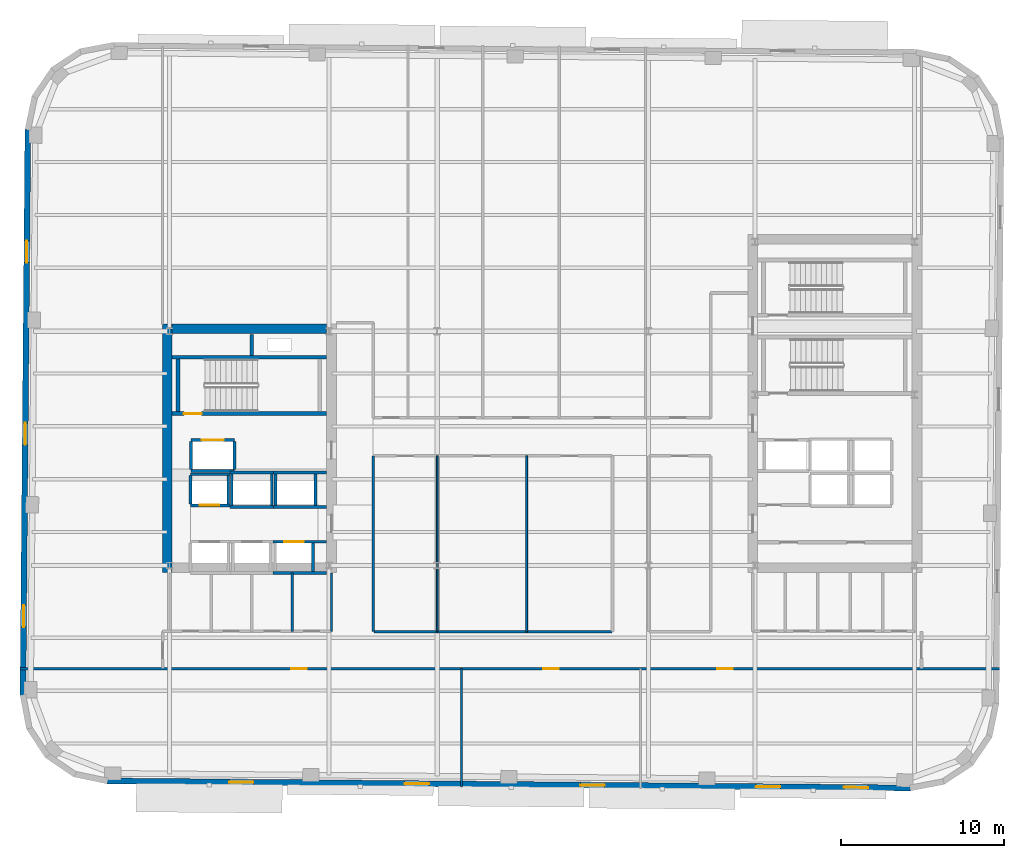
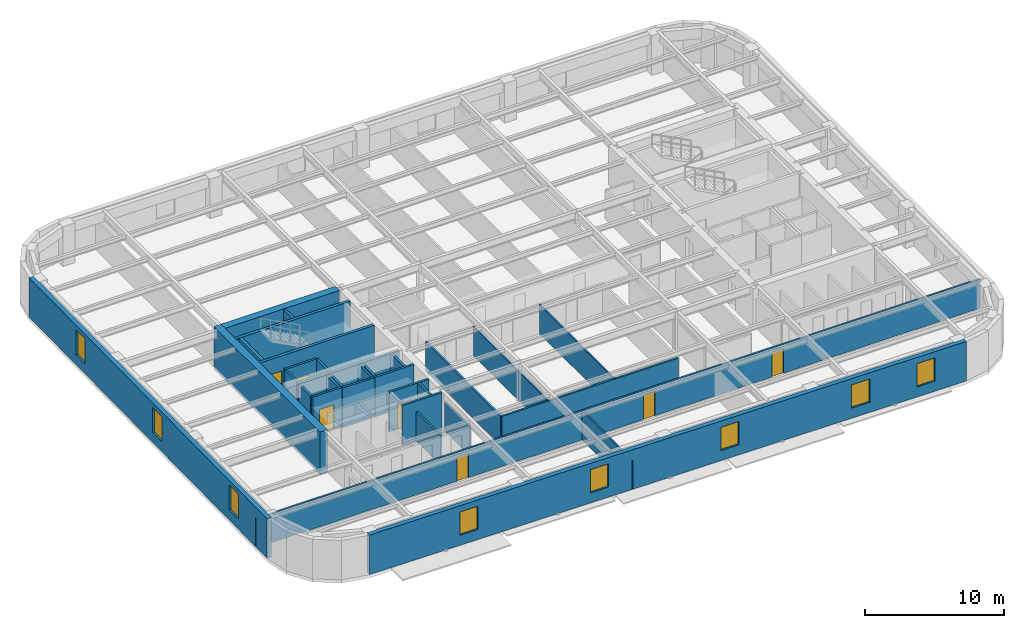
# One storey, part 4 of 11: 35 walls, 8 windows, 7 doors, 15 openings.
"""IFC4 building model written with IfcOpenShell, lengths in metres."""

from ifc_helpers import new_model, si_unit, direction, frame, frame_2d, origin, place, context, subcontext, project, spatial, rectangle, extrude, material, layer, layer_set, type_object, element, fill, save


model = new_model("IFC4")

# Units and contexts
model_context = context("Model", 3, precision=1e-05, world=origin(), true_north=direction((0.0, 1.0)))
body_context = subcontext(model_context, "Body", "Model", "MODEL_VIEW")
ifc_project = project(units=[si_unit("LENGTHUNIT", "METRE"), si_unit("AREAUNIT", "SQUARE_METRE"), si_unit("VOLUMEUNIT", "CUBIC_METRE"), si_unit("PLANEANGLEUNIT", "RADIAN"), si_unit("MASSUNIT", "GRAM", prefix="KILO")], contexts=[model_context])

# Site, building, storey
site_placement = place(None, origin())
site = spatial("IfcSite", under=ifc_project, at=site_placement, CompositionType="ELEMENT")
building_placement = place(site_placement, origin())
building = spatial("IfcBuilding", under=site, at=building_placement, Name="Kolvaren Arena Tower", CompositionType="ELEMENT")
storey_placement = place(building_placement, frame((0.0, 0.0, 184.699951171875)))
storey = spatial("IfcBuildingStorey", under=building, at=storey_placement, Name="L44", CompositionType="ELEMENT", Elevation=184.699951171875)

# Wall, openings, doors
ifc_material_1 = material(Name="Gypsum board acoustic assembly", Category="gypsum")
ifc_layer_1 = layer(ifc_material_1, 0.159912109375)
ifc_layer_set_1 = layer_set([ifc_layer_1], Name="Gypsum board acoustic assembly")
wall_type_1 = type_object("IfcWallType", Name="CORR-160", PredefinedType="PARTITIONING", material=ifc_layer_set_1)
wall_1_placement = place(storey_placement, frame((5.363525390625, 13.10009765625, 0.0), z_axis=(0.0, 0.0, 1.0), x_axis=(1.0, 0.0, 0.0)))
wall_1 = element("IfcWall", 1, at=wall_1_placement, inside=storey, type_object=wall_type_1, Name="Interior Partition Wall (L44)", PredefinedType="PARTITIONING", context=body_context, shape_type="SweptSolid", body=[
    extrude(rectangle(XDim=60.202392578125, YDim=0.159912109375, at=frame_2d((30.10107421875, 0.0))), origin(), (0.0, 0.0, 1.0), 2.5400390625),
])
opening_1_placement = place(wall_1_placement, frame((16.661376953125, 0.0, 0.0)))
opening_1 = element("IfcOpeningElement", 2, at=opening_1_placement, cuts=wall_1, Name="Opening D05", PredefinedType="OPENING", context=body_context, shape_type="SweptSolid", body=[
    extrude(rectangle(XDim=0.949951171875, YDim=2.14990234375, at=frame_2d((0.47509765625, 1.074951171875))), frame((0.0, 0.08984375, 0.0), z_axis=(0.0, -1.0, 0.0), x_axis=(1.0, 0.0, 0.0)), (0.0, 0.0, 1.0), 0.179931640625),
])
opening_2_placement = place(wall_1_placement, frame((32.161376953125, 0.0, 0.0)))
opening_2 = element("IfcOpeningElement", 3, at=opening_2_placement, cuts=wall_1, Name="Opening D05", PredefinedType="OPENING", context=body_context, shape_type="SweptSolid", body=[
    extrude(rectangle(XDim=0.949951171875, YDim=2.14990234375, at=frame_2d((0.47509765625, 1.074951171875))), frame((0.0, 0.08984375, 0.0), z_axis=(0.0, -1.0, 0.0), x_axis=(1.0, 0.0, 0.0)), (0.0, 0.0, 1.0), 0.179931640625),
])
opening_3_placement = place(wall_1_placement, frame((42.861328125, 0.0, 0.0)))
opening_3 = element("IfcOpeningElement", 4, at=opening_3_placement, cuts=wall_1, Name="Opening D05", PredefinedType="OPENING", context=body_context, shape_type="SweptSolid", body=[
    extrude(rectangle(XDim=0.949951171875, YDim=2.14990234375, at=frame_2d((0.47509765625, 1.074951171875))), frame((0.0, 0.08984375, 0.0), z_axis=(0.0, -1.0, 0.0), x_axis=(1.0, 0.0, 0.0)), (0.0, 0.0, 1.0), 0.179931640625),
])
ifc_material_2 = material(Name="Solid-core oak acoustic office door", Category="wood")
door_type_1 = type_object("IfcDoorType", Name="DOOR-OF-095", OperationType="NOTDEFINED", PredefinedType="DOOR", material=ifc_material_2)
door_1_placement = place(opening_1_placement, origin())
door_1 = element("IfcDoor", 5, at=door_1_placement, inside=storey, type_object=door_type_1, Name="Design Studio Door (L44)", OperationType="SINGLE_SWING_RIGHT", OverallHeight=2.14990234375, OverallWidth=0.949951171875, PredefinedType="DOOR", context=body_context, shape_type="SweptSolid", body=[
    extrude(rectangle(XDim=0.949951171875, YDim=2.14990234375, at=frame_2d((0.47509765625, 1.074951171875))), frame((0.0, 0.02490234375, 0.0), z_axis=(0.0, -1.0, 0.0), x_axis=(1.0, 0.0, 0.0)), (0.0, 0.0, 1.0), 0.050048828125),
])
fill(opening_1, door_1)
door_2_placement = place(opening_2_placement, origin())
door_2 = element("IfcDoor", 6, at=door_2_placement, inside=storey, type_object=door_type_1, Name="Client Lounge Door (L44)", OperationType="SINGLE_SWING_LEFT", OverallHeight=2.14990234375, OverallWidth=0.949951171875, PredefinedType="DOOR", context=body_context, shape_type="SweptSolid", body=[
    extrude(rectangle(XDim=0.949951171875, YDim=2.14990234375, at=frame_2d((0.47509765625, 1.074951171875))), frame((0.0, 0.02490234375, 0.0), z_axis=(0.0, -1.0, 0.0), x_axis=(1.0, 0.0, 0.0)), (0.0, 0.0, 1.0), 0.050048828125),
])
fill(opening_2, door_2)
door_3_placement = place(opening_3_placement, origin())
door_3 = element("IfcDoor", 7, at=door_3_placement, inside=storey, type_object=door_type_1, Name="Executive Office Door (L44)", OperationType="SINGLE_SWING_RIGHT", OverallHeight=2.14990234375, OverallWidth=0.949951171875, PredefinedType="DOOR", context=body_context, shape_type="SweptSolid", body=[
    extrude(rectangle(XDim=0.949951171875, YDim=2.14990234375, at=frame_2d((0.47509765625, 1.074951171875))), frame((0.0, 0.02490234375, 0.0), z_axis=(0.0, -1.0, 0.0), x_axis=(1.0, 0.0, 0.0)), (0.0, 0.0, 1.0), 0.050048828125),
])
fill(opening_3, door_3)

# Walls
wall_2_placement = place(storey_placement, frame((27.10009765625, 15.3798828125, 0.0), z_axis=(0.0, 0.0, 1.0), x_axis=(1.0, 0.0, 0.0)))
element("IfcWall", 8, at=wall_2_placement, inside=storey, type_object=wall_type_1, Name="Interior Partition Wall (L44)", PredefinedType="PARTITIONING", context=body_context, shape_type="SweptSolid", body=[
    extrude(rectangle(XDim=14.659912109375, YDim=0.159912109375, at=frame_2d((7.330078125, 0.0))), origin(), (0.0, 0.0, 1.0), 2.5400390625),
])
wall_3_placement = place(storey_placement, frame((27.080078125, 15.3798828125, 0.0), z_axis=(0.0, 0.0, 1.0), x_axis=(0.0, 1.0, 0.0)))
element("IfcWall", 9, at=wall_3_placement, inside=storey, type_object=wall_type_1, Name="Interior Partition Wall (L44)", PredefinedType="PARTITIONING", context=body_context, shape_type="SweptSolid", body=[
    extrude(rectangle(XDim=10.800048828125, YDim=0.159912109375, at=frame_2d((5.39990234375, 0.0))), origin(), (0.0, 0.0, 1.0), 2.5400390625),
])
ifc_material_3 = material(Name="Concrete 60 MPa", Category="concrete")
ifc_layer_2 = layer(ifc_material_3, 0.60009765625)
ifc_layer_set_2 = layer_set([ifc_layer_2], Name="Concrete 60 MPa")
wall_type_2 = type_object("IfcWallType", Name="CWALL-600", PredefinedType="SHEAR", material=ifc_layer_set_2)
wall_4_placement = place(storey_placement, frame((14.39990234375, 19.0, -0.27001953125), z_axis=(0.0, 0.0, 1.0), x_axis=(0.0, 1.0, 0.0)))
element("IfcWall", 10, at=wall_4_placement, inside=storey, type_object=wall_type_2, Name="Core Shear Wall WC-WEST (L44)", PredefinedType="SHEAR", context=body_context, shape_type="SweptSolid", body=[
    extrude(rectangle(XDim=15.300048828125, YDim=0.60009765625, at=frame_2d((7.64990234375, 0.0))), origin(), (0.0, 0.0, 1.0), 3.75),
])
wall_5_placement = place(storey_placement, frame((14.699951171875, 34.0, -0.27001953125), z_axis=(0.0, 0.0, 1.0), x_axis=(1.0, 0.0, 0.0)))
element("IfcWall", 11, at=wall_5_placement, inside=storey, type_object=wall_type_2, Name="Core Shear Wall WC-NORTH (L44)", PredefinedType="SHEAR", context=body_context, shape_type="SweptSolid", body=[
    extrude(rectangle(XDim=9.5, YDim=0.60009765625, at=frame_2d((4.75, 0.0))), origin(), (0.0, 0.0, 1.0), 3.75),
])

# Wall, openings, windows
ifc_material_4 = material(Name="Precast concrete C50/60", Category="concrete")
ifc_layer_3 = layer(ifc_material_4, 0.360107421875)
ifc_layer_set_3 = layer_set([ifc_layer_3], Name="Precast concrete C50/60")
wall_type_3 = type_object("IfcWallType", Name="EXT-PIER2", PredefinedType="SOLIDWALL", material=ifc_layer_set_3)
wall_6_placement = place(storey_placement, frame((5.529296875, 11.461669921875, 0.0), z_axis=(0.0, 0.0, 1.0), x_axis=(0.008727287311, 0.999961916503, 0.0)))
wall_6 = element("IfcWall", 12, at=wall_6_placement, inside=storey, type_object=wall_type_3, Name="Exterior Precast Masonry-Frame Wall (L44)", PredefinedType="SOLIDWALL", context=body_context, shape_type="SweptSolid", body=[
    extrude(rectangle(XDim=34.800048828125, YDim=0.360107421875, at=frame_2d((17.39990234375, 0.0))), origin(), (0.0, 0.0, 1.0), 3.47998046875),
])
opening_4_placement = place(wall_6_placement, frame((4.199951171875, 0.0, 0.8798828125)))
opening_4 = element("IfcOpeningElement", 13, at=opening_4_placement, cuts=wall_6, Name="Opening W04", PredefinedType="OPENING", context=body_context, shape_type="SweptSolid", body=[
    extrude(rectangle(XDim=1.35009765625, YDim=2.199951171875, at=frame_2d((0.675048828125, 1.10009765625))), frame((0.0, 0.18994140625, 0.0), z_axis=(0.0, -1.0, 0.0), x_axis=(1.0, 0.0, 0.0)), (0.0, 0.0, 1.0), 0.380126953125),
])
opening_5_placement = place(wall_6_placement, frame((15.39990234375, 0.0, 0.8798828125)))
opening_5 = element("IfcOpeningElement", 14, at=opening_5_placement, cuts=wall_6, Name="Opening W04", PredefinedType="OPENING", context=body_context, shape_type="SweptSolid", body=[
    extrude(rectangle(XDim=1.35009765625, YDim=2.199951171875, at=frame_2d((0.675048828125, 1.10009765625))), frame((0.0, 0.18994140625, 0.0), z_axis=(0.0, -1.0, 0.0), x_axis=(1.0, 0.0, 0.0)), (0.0, 0.0, 1.0), 0.380126953125),
])
opening_6_placement = place(wall_6_placement, frame((26.60009765625, 0.0, 0.8798828125)))
opening_6 = element("IfcOpeningElement", 15, at=opening_6_placement, cuts=wall_6, Name="Opening W04", PredefinedType="OPENING", context=body_context, shape_type="SweptSolid", body=[
    extrude(rectangle(XDim=1.35009765625, YDim=2.199951171875, at=frame_2d((0.675048828125, 1.10009765625))), frame((0.0, 0.18994140625, 0.0), z_axis=(0.0, -1.0, 0.0), x_axis=(1.0, 0.0, 0.0)), (0.0, 0.0, 1.0), 0.380126953125),
])
ifc_material_5 = material(Name="Triple-glazed curved-facet corner window", Category="glass")
window_type_1 = type_object("IfcWindowType", Name="WIN-CRN-A", PartitioningType="SINGLE_PANEL", PredefinedType="WINDOW", material=ifc_material_5)
window_1_placement = place(opening_4_placement, origin())
window_1 = element("IfcWindow", 16, at=window_1_placement, inside=storey, type_object=window_type_1, Name="End-Wall Punched Window (L44)", OverallHeight=2.199951171875, OverallWidth=1.35009765625, PartitioningType="SINGLE_PANEL", PredefinedType="WINDOW", context=body_context, shape_type="SweptSolid", body=[
    extrude(rectangle(XDim=1.35009765625, YDim=2.199951171875, at=frame_2d((0.675048828125, 1.10009765625))), frame((0.0, 0.030029296875, 0.0), z_axis=(0.0, -1.0, 0.0), x_axis=(1.0, 0.0, 0.0)), (0.0, 0.0, 1.0), 0.06005859375),
])
fill(opening_4, window_1)
window_2_placement = place(opening_5_placement, origin())
window_2 = element("IfcWindow", 17, at=window_2_placement, inside=storey, type_object=window_type_1, Name="End-Wall Punched Window (L44)", OverallHeight=2.199951171875, OverallWidth=1.35009765625, PartitioningType="SINGLE_PANEL", PredefinedType="WINDOW", context=body_context, shape_type="SweptSolid", body=[
    extrude(rectangle(XDim=1.35009765625, YDim=2.199951171875, at=frame_2d((0.675048828125, 1.10009765625))), frame((0.0, 0.030029296875, 0.0), z_axis=(0.0, -1.0, 0.0), x_axis=(1.0, 0.0, 0.0)), (0.0, 0.0, 1.0), 0.06005859375),
])
fill(opening_5, window_2)
window_3_placement = place(opening_6_placement, origin())
window_3 = element("IfcWindow", 18, at=window_3_placement, inside=storey, type_object=window_type_1, Name="End-Wall Punched Window (L44)", OverallHeight=2.199951171875, OverallWidth=1.35009765625, PartitioningType="SINGLE_PANEL", PredefinedType="WINDOW", context=body_context, shape_type="SweptSolid", body=[
    extrude(rectangle(XDim=1.35009765625, YDim=2.199951171875, at=frame_2d((0.675048828125, 1.10009765625))), frame((0.0, 0.030029296875, 0.0), z_axis=(0.0, -1.0, 0.0), x_axis=(1.0, 0.0, 0.0)), (0.0, 0.0, 1.0), 0.06005859375),
])
fill(opening_6, window_3)

wall_7_placement = place(storey_placement, frame((60.101806640625, 5.765380859375, 0.0), z_axis=(0.0, 0.0, 1.0), x_axis=(-0.999961955436, 0.008722825272, 0.0)))
wall_7 = element("IfcWall", 19, at=wall_7_placement, inside=storey, type_object=wall_type_3, Name="Exterior Precast Masonry-Frame Wall (L44)", PredefinedType="SOLIDWALL", context=body_context, shape_type="SweptSolid", body=[
    extrude(rectangle(XDim=49.400146484375, YDim=0.360107421875, at=frame_2d((24.7001953125, 0.0))), origin(), (0.0, 0.0, 1.0), 3.47998046875),
])
opening_7_placement = place(wall_7_placement, frame((2.60009765625, 0.0, 0.8798828125)))
opening_7 = element("IfcOpeningElement", 20, at=opening_7_placement, cuts=wall_7, Name="Opening W03", PredefinedType="OPENING", context=body_context, shape_type="SweptSolid", body=[
    extrude(rectangle(XDim=1.5, YDim=2.050048828125, at=frame_2d((0.75, 1.02490234375))), frame((0.0, 0.18994140625, 0.0), z_axis=(0.0, -1.0, 0.0), x_axis=(1.0, 0.0, 0.0)), (0.0, 0.0, 1.0), 0.380126953125),
])
opening_8_placement = place(wall_7_placement, frame((8.0, 0.0, 0.8798828125)))
opening_8 = element("IfcOpeningElement", 21, at=opening_8_placement, cuts=wall_7, Name="Opening W03", PredefinedType="OPENING", context=body_context, shape_type="SweptSolid", body=[
    extrude(rectangle(XDim=1.5, YDim=2.050048828125, at=frame_2d((0.75, 1.02490234375))), frame((0.0, 0.18994140625, 0.0), z_axis=(0.0, -1.0, 0.0), x_axis=(1.0, 0.0, 0.0)), (0.0, 0.0, 1.0), 0.380126953125),
])
opening_9_placement = place(wall_7_placement, frame((18.800048828125, 0.0, 0.8798828125)))
opening_9 = element("IfcOpeningElement", 22, at=opening_9_placement, cuts=wall_7, Name="Opening W03", PredefinedType="OPENING", context=body_context, shape_type="SweptSolid", body=[
    extrude(rectangle(XDim=1.5, YDim=2.050048828125, at=frame_2d((0.75, 1.02490234375))), frame((0.0, 0.18994140625, 0.0), z_axis=(0.0, -1.0, 0.0), x_axis=(1.0, 0.0, 0.0)), (0.0, 0.0, 1.0), 0.380126953125),
])
opening_10_placement = place(wall_7_placement, frame((29.60009765625, 0.0, 0.8798828125)))
opening_10 = element("IfcOpeningElement", 23, at=opening_10_placement, cuts=wall_7, Name="Opening W03", PredefinedType="OPENING", context=body_context, shape_type="SweptSolid", body=[
    extrude(rectangle(XDim=1.5, YDim=2.050048828125, at=frame_2d((0.75, 1.02490234375))), frame((0.0, 0.18994140625, 0.0), z_axis=(0.0, -1.0, 0.0), x_axis=(1.0, 0.0, 0.0)), (0.0, 0.0, 1.0), 0.380126953125),
])
opening_11_placement = place(wall_7_placement, frame((40.39990234375, 0.0, 0.8798828125)))
opening_11 = element("IfcOpeningElement", 24, at=opening_11_placement, cuts=wall_7, Name="Opening W03", PredefinedType="OPENING", context=body_context, shape_type="SweptSolid", body=[
    extrude(rectangle(XDim=1.5, YDim=2.050048828125, at=frame_2d((0.75, 1.02490234375))), frame((0.0, 0.18994140625, 0.0), z_axis=(0.0, -1.0, 0.0), x_axis=(1.0, 0.0, 0.0)), (0.0, 0.0, 1.0), 0.380126953125),
])
ifc_material_6 = material(Name="Triple-glazed low-E aluminium window", Category="aluminium")
window_type_2 = type_object("IfcWindowType", Name="WIN-OFF-C", PartitioningType="SINGLE_PANEL", PredefinedType="WINDOW", material=ifc_material_6)
window_4_placement = place(opening_7_placement, origin())
window_4 = element("IfcWindow", 25, at=window_4_placement, inside=storey, type_object=window_type_2, Name="Punched Precast-Pier Window (L44)", OverallHeight=2.050048828125, OverallWidth=1.5, PartitioningType="SINGLE_PANEL", PredefinedType="WINDOW", context=body_context, shape_type="SweptSolid", body=[
    extrude(rectangle(XDim=1.5, YDim=2.050048828125, at=frame_2d((0.75, 1.02490234375))), frame((0.0, 0.030029296875, 0.0), z_axis=(0.0, -1.0, 0.0), x_axis=(1.0, 0.0, 0.0)), (0.0, 0.0, 1.0), 0.06005859375),
])
fill(opening_7, window_4)
window_5_placement = place(opening_8_placement, origin())
window_5 = element("IfcWindow", 26, at=window_5_placement, inside=storey, type_object=window_type_2, Name="Punched Precast-Pier Window (L44)", OverallHeight=2.050048828125, OverallWidth=1.5, PartitioningType="SINGLE_PANEL", PredefinedType="WINDOW", context=body_context, shape_type="SweptSolid", body=[
    extrude(rectangle(XDim=1.5, YDim=2.050048828125, at=frame_2d((0.75, 1.02490234375))), frame((0.0, 0.030029296875, 0.0), z_axis=(0.0, -1.0, 0.0), x_axis=(1.0, 0.0, 0.0)), (0.0, 0.0, 1.0), 0.06005859375),
])
fill(opening_8, window_5)
window_6_placement = place(opening_9_placement, origin())
window_6 = element("IfcWindow", 27, at=window_6_placement, inside=storey, type_object=window_type_2, Name="Punched Precast-Pier Window (L44)", OverallHeight=2.050048828125, OverallWidth=1.5, PartitioningType="SINGLE_PANEL", PredefinedType="WINDOW", context=body_context, shape_type="SweptSolid", body=[
    extrude(rectangle(XDim=1.5, YDim=2.050048828125, at=frame_2d((0.75, 1.02490234375))), frame((0.0, 0.030029296875, 0.0), z_axis=(0.0, -1.0, 0.0), x_axis=(1.0, 0.0, 0.0)), (0.0, 0.0, 1.0), 0.06005859375),
])
fill(opening_9, window_6)
window_7_placement = place(opening_10_placement, origin())
window_7 = element("IfcWindow", 28, at=window_7_placement, inside=storey, type_object=window_type_2, Name="Punched Precast-Pier Window (L44)", OverallHeight=2.050048828125, OverallWidth=1.5, PartitioningType="SINGLE_PANEL", PredefinedType="WINDOW", context=body_context, shape_type="SweptSolid", body=[
    extrude(rectangle(XDim=1.5, YDim=2.050048828125, at=frame_2d((0.75, 1.02490234375))), frame((0.0, 0.030029296875, 0.0), z_axis=(0.0, -1.0, 0.0), x_axis=(1.0, 0.0, 0.0)), (0.0, 0.0, 1.0), 0.06005859375),
])
fill(opening_10, window_7)
window_8_placement = place(opening_11_placement, origin())
window_8 = element("IfcWindow", 29, at=window_8_placement, inside=storey, type_object=window_type_2, Name="Punched Precast-Pier Window (L44)", OverallHeight=2.050048828125, OverallWidth=1.5, PartitioningType="SINGLE_PANEL", PredefinedType="WINDOW", context=body_context, shape_type="SweptSolid", body=[
    extrude(rectangle(XDim=1.5, YDim=2.050048828125, at=frame_2d((0.75, 1.02490234375))), frame((0.0, 0.030029296875, 0.0), z_axis=(0.0, -1.0, 0.0), x_axis=(1.0, 0.0, 0.0)), (0.0, 0.0, 1.0), 0.06005859375),
])
fill(opening_11, window_8)

# Walls
ifc_material_7 = material(Name="Gypsum board partition assembly", Category="gypsum")
ifc_layer_4 = layer(ifc_material_7, 0.114990234375)
ifc_layer_set_4 = layer_set([ifc_layer_4], Name="Gypsum board partition assembly")
wall_type_4 = type_object("IfcWallType", Name="PART-115", PredefinedType="PARTITIONING", material=ifc_layer_set_4)
for number, where, z_axis, x_axis, name in (
    (30, (31.0, 15.3798828125, 0.0), (0.0, 0.0, 1.0), (0.0, 1.0, 0.0), "Interior Partition Wall (L44)"),
    (31, (36.5, 15.3798828125, 0.0), (0.0, 0.0, 1.0), (0.0, 1.0, 0.0), "Interior Partition Wall (L44)"),
):
    element("IfcWall", number, at=place(storey_placement, frame(where, z_axis=z_axis, x_axis=x_axis)), inside=storey, type_object=wall_type_4, Name=name, PredefinedType="PARTITIONING", context=body_context, shape_type="SweptSolid", body=[
        extrude(rectangle(XDim=10.800048828125, YDim=0.114990234375, at=frame_2d((5.39990234375, 0.0))), origin(), (0.0, 0.0, 1.0), 2.5400390625),
    ])
ifc_layer_5 = layer(ifc_material_7, 0.135009765625)
ifc_layer_set_5 = layer_set([ifc_layer_5], Name="Gypsum board partition assembly")
wall_type_5 = type_object("IfcWallType", Name="PART-135", PredefinedType="PARTITIONING", material=ifc_layer_set_5)
wall_8_placement = place(storey_placement, frame((32.5, 5.826171875, 0.0), z_axis=(0.0, 0.0, 1.0), x_axis=(0.0, 1.0, 0.0)))
element("IfcWall", 32, at=wall_8_placement, inside=storey, type_object=wall_type_5, Name="Interior Partition Wall (L44)", PredefinedType="PARTITIONING", context=body_context, shape_type="SweptSolid", body=[
    extrude(rectangle(XDim=7.27392578125, YDim=0.135009765625, at=frame_2d((3.636962890625, 0.0))), origin(), (0.0, 0.0, 1.0), 2.5400390625),
])

# Wall, opening, door
ifc_material_8 = material(Name="Concrete 45 MPa", Category="concrete")
ifc_layer_6 = layer(ifc_material_8, 0.25)
ifc_layer_set_6 = layer_set([ifc_layer_6], Name="Concrete 45 MPa")
wall_type_6 = type_object("IfcWallType", Name="SHAFT-250", PredefinedType="SOLIDWALL", material=ifc_layer_set_6)
wall_9_placement = place(storey_placement, frame((24.199951171875, 28.780029296875, 0.0), z_axis=(0.0, 0.0, 1.0), x_axis=(-1.0, 0.0, 0.0)))
wall_9 = element("IfcWall", 33, at=wall_9_placement, inside=storey, type_object=wall_type_6, Name="Core Shaft Wall (L44)", PredefinedType="SOLIDWALL", context=body_context, shape_type="SweptSolid", body=[
    extrude(rectangle(XDim=9.5, YDim=0.239990234375, at=frame_2d((4.75, 0.0))), origin(), (0.0, 0.0, 1.0), 3.47998046875),
])
opening_12_placement = place(wall_9_placement, frame((7.679931640625, 0.0, 0.0)))
opening_12 = element("IfcOpeningElement", 34, at=opening_12_placement, cuts=wall_9, Name="Opening D03", PredefinedType="OPENING", context=body_context, shape_type="SweptSolid", body=[
    extrude(rectangle(XDim=1.10009765625, YDim=2.14990234375, at=frame_2d((0.550048828125, 1.074951171875))), frame((0.0, 0.1298828125, 0.0), z_axis=(0.0, -1.0, 0.0), x_axis=(1.0, 0.0, 0.0)), (0.0, 0.0, 1.0), 0.260009765625),
])
ifc_material_9 = material(Name="Fire-rated steel exit stair door", Category="steel")
door_type_2 = type_object("IfcDoorType", Name="DOOR-ST-110", OperationType="NOTDEFINED", PredefinedType="DOOR", material=ifc_material_9)
door_4_placement = place(opening_12_placement, origin())
door_4 = element("IfcDoor", 35, at=door_4_placement, inside=storey, type_object=door_type_2, Name="Stair ST-W1 Fire Door (L44)", OperationType="SINGLE_SWING_RIGHT", OverallHeight=2.14990234375, OverallWidth=1.10009765625, PredefinedType="DOOR", context=body_context, shape_type="SweptSolid", body=[
    extrude(rectangle(XDim=1.10009765625, YDim=2.14990234375, at=frame_2d((0.550048828125, 1.074951171875))), frame((0.0, 0.02490234375, 0.0), z_axis=(0.0, -1.0, 0.0), x_axis=(1.0, 0.0, 0.0)), (0.0, 0.0, 1.0), 0.050048828125),
])
fill(opening_12, door_4)

# Walls
wall_10_placement = place(storey_placement, frame((14.699951171875, 32.25, 0.0), z_axis=(0.0, 0.0, 1.0), x_axis=(1.0, 0.0, 0.0)))
element("IfcWall", 36, at=wall_10_placement, inside=storey, type_object=wall_type_6, Name="Core Shaft Wall (L44)", PredefinedType="SOLIDWALL", context=body_context, shape_type="SweptSolid", body=[
    extrude(rectangle(XDim=9.5, YDim=0.239990234375, at=frame_2d((4.75, 0.0))), origin(), (0.0, 0.0, 1.0), 3.47998046875),
])
wall_11_placement = place(storey_placement, frame((15.06005859375, 28.89990234375, 0.0), z_axis=(0.0, 0.0, 1.0), x_axis=(0.0, 1.0, 0.0)))
element("IfcWall", 37, at=wall_11_placement, inside=storey, type_object=wall_type_6, Name="Core Shaft Wall (L44)", PredefinedType="SOLIDWALL", context=body_context, shape_type="SweptSolid", body=[
    extrude(rectangle(XDim=3.22998046875, YDim=0.239990234375, at=frame_2d((1.614990234375, 0.0))), origin(), (0.0, 0.0, 1.0), 3.47998046875),
])
wall_12_placement = place(storey_placement, frame((19.60009765625, 32.3701171875, 0.0), z_axis=(0.0, 0.0, 1.0), x_axis=(0.0, 1.0, 0.0)))
element("IfcWall", 38, at=wall_12_placement, inside=storey, type_object=wall_type_6, Name="Core Shaft Wall (L44)", PredefinedType="SOLIDWALL", context=body_context, shape_type="SweptSolid", body=[
    extrude(rectangle(XDim=1.27978515625, YDim=0.199951171875, at=frame_2d((0.639892578125, 0.0))), origin(), (0.0, 0.0, 1.0), 3.47998046875),
])

# Wall, opening, door
wall_13_placement = place(storey_placement, frame((20.89990234375, 20.905029296875, 0.0), z_axis=(0.0, 0.0, 1.0), x_axis=(1.0, 0.0, 0.0)))
wall_13 = element("IfcWall", 39, at=wall_13_placement, inside=storey, type_object=wall_type_6, Name="Core Shaft Wall (L44)", PredefinedType="SOLIDWALL", context=body_context, shape_type="SweptSolid", body=[
    extrude(rectangle(XDim=3.300048828125, YDim=0.179931640625, at=frame_2d((1.64990234375, 0.0))), origin(), (0.0, 0.0, 1.0), 3.47998046875),
])
opening_13_placement = place(wall_13_placement, frame((0.699951171875, 0.0, 0.0)))
opening_13 = element("IfcOpeningElement", 40, at=opening_13_placement, cuts=wall_13, Name="Opening LD1", PredefinedType="OPENING", context=body_context, shape_type="SweptSolid", body=[
    extrude(rectangle(XDim=1.199951171875, YDim=2.199951171875, at=frame_2d((0.60009765625, 1.10009765625))), frame((0.0, 0.099853515625, 0.0), z_axis=(0.0, -1.0, 0.0), x_axis=(1.0, 0.0, 0.0)), (0.0, 0.0, 1.0), 0.199951171875),
])
ifc_material_10 = material(Name="Stainless steel passenger lift landing door", Category="steel")
door_type_3 = type_object("IfcDoorType", Name="DOOR-LD-120", OperationType="DOUBLE_DOOR_SLIDING", PredefinedType="DOOR", material=ifc_material_10)
door_5_placement = place(opening_13_placement, origin())
door_5 = element("IfcDoor", 41, at=door_5_placement, inside=storey, type_object=door_type_3, Name="Lift EL-MR3 Landing Door (L44)", OperationType="DOUBLE_DOOR_SLIDING", OverallHeight=2.199951171875, OverallWidth=1.199951171875, PredefinedType="DOOR", context=body_context, shape_type="SweptSolid", body=[
    extrude(rectangle(XDim=1.199951171875, YDim=2.199951171875, at=frame_2d((0.60009765625, 1.10009765625))), frame((0.0, 0.02490234375, 0.0), z_axis=(0.0, -1.0, 0.0), x_axis=(1.0, 0.0, 0.0)), (0.0, 0.0, 1.0), 0.050048828125),
])
fill(opening_13, door_5)

# Walls
wall_14_placement = place(storey_placement, frame((20.89990234375, 18.9951171875, 0.0), z_axis=(0.0, 0.0, 1.0), x_axis=(1.0, 0.0, 0.0)))
element("IfcWall", 42, at=wall_14_placement, inside=storey, type_object=wall_type_6, Name="Core Shaft Wall (L44)", PredefinedType="SOLIDWALL", context=body_context, shape_type="SweptSolid", body=[
    extrude(rectangle(XDim=3.300048828125, YDim=0.179931640625, at=frame_2d((1.64990234375, 0.0))), origin(), (0.0, 0.0, 1.0), 3.47998046875),
])
wall_15_placement = place(storey_placement, frame((23.35498046875, 19.0849609375, 0.0), z_axis=(0.0, 0.0, 1.0), x_axis=(0.0, 1.0, 0.0)))
element("IfcWall", 43, at=wall_15_placement, inside=storey, type_object=wall_type_6, Name="Core Shaft Wall (L44)", PredefinedType="SOLIDWALL", context=body_context, shape_type="SweptSolid", body=[
    extrude(rectangle(XDim=1.72998046875, YDim=0.179931640625, at=frame_2d((0.864990234375, 0.0))), origin(), (0.0, 0.0, 1.0), 3.47998046875),
])
wall_16_placement = place(storey_placement, frame((15.844970703125, 25.054931640625, 0.0), z_axis=(0.0, 0.0, 1.0), x_axis=(1.0, 0.0, 0.0)))
element("IfcWall", 44, at=wall_16_placement, inside=storey, type_object=wall_type_6, Name="Core Shaft Wall (L44)", PredefinedType="SOLIDWALL", context=body_context, shape_type="SweptSolid", body=[
    extrude(rectangle(XDim=2.41748046875, YDim=0.179931640625, at=frame_2d((1.208740234375, 0.0))), origin(), (0.0, 0.0, 1.0), 3.47998046875),
])

# Wall, opening, door
wall_17_placement = place(storey_placement, frame((15.844970703125, 23.14501953125, 0.0), z_axis=(0.0, 0.0, 1.0), x_axis=(1.0, 0.0, 0.0)))
wall_17 = element("IfcWall", 45, at=wall_17_placement, inside=storey, type_object=wall_type_6, Name="Core Shaft Wall (L44)", PredefinedType="SOLIDWALL", context=body_context, shape_type="SweptSolid", body=[
    extrude(rectangle(XDim=2.41748046875, YDim=0.179931640625, at=frame_2d((1.208740234375, 0.0))), origin(), (0.0, 0.0, 1.0), 3.47998046875),
])
opening_14_placement = place(wall_17_placement, frame((0.554931640625, 0.0, 0.0)))
opening_14 = element("IfcOpeningElement", 46, at=opening_14_placement, cuts=wall_17, Name="Opening LD1", PredefinedType="OPENING", context=body_context, shape_type="SweptSolid", body=[
    extrude(rectangle(XDim=1.199951171875, YDim=2.199951171875, at=frame_2d((0.60009765625, 1.10009765625))), frame((0.0, 0.099853515625, 0.0), z_axis=(0.0, -1.0, 0.0), x_axis=(1.0, 0.0, 0.0)), (0.0, 0.0, 1.0), 0.199951171875),
])
door_6_placement = place(opening_14_placement, origin())
door_6 = element("IfcDoor", 47, at=door_6_placement, inside=storey, type_object=door_type_3, Name="Lift EL-MR4 Landing Door (L44)", OperationType="DOUBLE_DOOR_SLIDING", OverallHeight=2.199951171875, OverallWidth=1.199951171875, PredefinedType="DOOR", context=body_context, shape_type="SweptSolid", body=[
    extrude(rectangle(XDim=1.199951171875, YDim=2.199951171875, at=frame_2d((0.60009765625, 1.10009765625))), frame((0.0, 0.02490234375, 0.0), z_axis=(0.0, -1.0, 0.0), x_axis=(1.0, 0.0, 0.0)), (0.0, 0.0, 1.0), 0.050048828125),
])
fill(opening_14, door_6)

# Walls
for number, where, z_axis, x_axis, name in (
    (48, (15.844970703125, 23.235107421875, 0.0), (0.0, 0.0, 1.0), (0.0, 1.0, 0.0), "Core Shaft Wall (L44)"),
    (49, (18.155029296875, 23.235107421875, 0.0), (0.0, 0.0, 1.0), (0.0, 1.0, 0.0), "Core Shaft Wall (L44)"),
):
    element("IfcWall", number, at=place(storey_placement, frame(where, z_axis=z_axis, x_axis=x_axis)), inside=storey, type_object=wall_type_6, Name=name, PredefinedType="SOLIDWALL", context=body_context, shape_type="SweptSolid", body=[
        extrude(rectangle(XDim=1.72998046875, YDim=0.179931640625, at=frame_2d((0.864990234375, 0.0))), origin(), (0.0, 0.0, 1.0), 3.47998046875),
    ])
for number, where, z_axis, x_axis, name in (
    (50, (18.262451171875, 25.155029296875, 0.0), (0.0, 0.0, 1.0), (1.0, 0.0, 0.0), "Core Shaft Wall (L44)"),
    (51, (18.262451171875, 23.044921875, 0.0), (0.0, 0.0, 1.0), (1.0, 0.0, 0.0), "Core Shaft Wall (L44)"),
):
    element("IfcWall", number, at=place(storey_placement, frame(where, z_axis=z_axis, x_axis=x_axis)), inside=storey, type_object=wall_type_6, Name=name, PredefinedType="SOLIDWALL", context=body_context, shape_type="SweptSolid", body=[
        extrude(rectangle(XDim=2.6875, YDim=0.179931640625, at=frame_2d((1.34375, 0.0))), origin(), (0.0, 0.0, 1.0), 3.47998046875),
    ])
for number, where, z_axis, x_axis, name in (
    (52, (18.3701171875, 23.135009765625, 0.0), (0.0, 0.0, 1.0), (0.0, 1.0, 0.0), "Core Shaft Wall (L44)"),
    (53, (20.830078125, 23.135009765625, 0.0), (0.0, 0.0, 1.0), (0.0, 1.0, 0.0), "Core Shaft Wall (L44)"),
):
    element("IfcWall", number, at=place(storey_placement, frame(where, z_axis=z_axis, x_axis=x_axis)), inside=storey, type_object=wall_type_6, Name=name, PredefinedType="SOLIDWALL", context=body_context, shape_type="SweptSolid", body=[
        extrude(rectangle(XDim=1.929931640625, YDim=0.179931640625, at=frame_2d((0.96484375, 0.0))), origin(), (0.0, 0.0, 1.0), 3.47998046875),
    ])
for number, where, z_axis, x_axis, name in (
    (54, (20.949951171875, 25.155029296875, 0.0), (0.0, 0.0, 1.0), (1.0, 0.0, 0.0), "Core Shaft Wall (L44)"),
    (55, (20.949951171875, 23.044921875, 0.0), (0.0, 0.0, 1.0), (1.0, 0.0, 0.0), "Core Shaft Wall (L44)"),
):
    element("IfcWall", number, at=place(storey_placement, frame(where, z_axis=z_axis, x_axis=x_axis)), inside=storey, type_object=wall_type_6, Name=name, PredefinedType="SOLIDWALL", context=body_context, shape_type="SweptSolid", body=[
        extrude(rectangle(XDim=3.25, YDim=0.179931640625, at=frame_2d((1.625, 0.0))), origin(), (0.0, 0.0, 1.0), 3.47998046875),
    ])
for number, where, z_axis, x_axis, name in (
    (56, (21.070068359375, 23.135009765625, 0.0), (0.0, 0.0, 1.0), (0.0, 1.0, 0.0), "Core Shaft Wall (L44)"),
    (57, (23.530029296875, 23.135009765625, 0.0), (0.0, 0.0, 1.0), (0.0, 1.0, 0.0), "Core Shaft Wall (L44)"),
):
    element("IfcWall", number, at=place(storey_placement, frame(where, z_axis=z_axis, x_axis=x_axis)), inside=storey, type_object=wall_type_6, Name=name, PredefinedType="SOLIDWALL", context=body_context, shape_type="SweptSolid", body=[
        extrude(rectangle(XDim=1.929931640625, YDim=0.179931640625, at=frame_2d((0.96484375, 0.0))), origin(), (0.0, 0.0, 1.0), 3.47998046875),
    ])

# Wall, opening, door
wall_18_placement = place(storey_placement, frame((15.8701171875, 27.155029296875, 0.0), z_axis=(0.0, 0.0, 1.0), x_axis=(1.0, 0.0, 0.0)))
wall_18 = element("IfcWall", 58, at=wall_18_placement, inside=storey, type_object=wall_type_6, Name="Core Shaft Wall (L44)", PredefinedType="SOLIDWALL", context=body_context, shape_type="SweptSolid", body=[
    extrude(rectangle(XDim=2.659912109375, YDim=0.179931640625, at=frame_2d((1.330078125, 0.0))), origin(), (0.0, 0.0, 1.0), 3.47998046875),
])
opening_15_placement = place(wall_18_placement, frame((0.655029296875, 0.0, 0.0)))
opening_15 = element("IfcOpeningElement", 59, at=opening_15_placement, cuts=wall_18, Name="Opening LD2", PredefinedType="OPENING", context=body_context, shape_type="SweptSolid", body=[
    extrude(rectangle(XDim=1.35009765625, YDim=2.300048828125, at=frame_2d((0.675048828125, 1.14990234375))), frame((0.0, 0.099853515625, 0.0), z_axis=(0.0, -1.0, 0.0), x_axis=(1.0, 0.0, 0.0)), (0.0, 0.0, 1.0), 0.199951171875),
])
ifc_material_11 = material(Name="Stainless steel firefighter lift landing door", Category="steel")
door_type_4 = type_object("IfcDoorType", Name="DOOR-LD-135", OperationType="DOUBLE_DOOR_SLIDING", PredefinedType="DOOR", material=ifc_material_11)
door_7_placement = place(opening_15_placement, origin())
door_7 = element("IfcDoor", 60, at=door_7_placement, inside=storey, type_object=door_type_4, Name="Firefighter Lift FF-W1 Landing Door (L44)", OperationType="DOUBLE_DOOR_SLIDING", OverallHeight=2.300048828125, OverallWidth=1.35009765625, PredefinedType="DOOR", context=body_context, shape_type="SweptSolid", body=[
    extrude(rectangle(XDim=1.35009765625, YDim=2.300048828125, at=frame_2d((0.675048828125, 1.14990234375))), frame((0.0, 0.02490234375, 0.0), z_axis=(0.0, -1.0, 0.0), x_axis=(1.0, 0.0, 0.0)), (0.0, 0.0, 1.0), 0.050048828125),
])
fill(opening_15, door_7)

# Walls
wall_19_placement = place(storey_placement, frame((15.8701171875, 25.2451171875, 0.0), z_axis=(0.0, 0.0, 1.0), x_axis=(1.0, 0.0, 0.0)))
element("IfcWall", 61, at=wall_19_placement, inside=storey, type_object=wall_type_6, Name="Core Shaft Wall (L44)", PredefinedType="SOLIDWALL", context=body_context, shape_type="SweptSolid", body=[
    extrude(rectangle(XDim=2.659912109375, YDim=0.179931640625, at=frame_2d((1.330078125, 0.0))), origin(), (0.0, 0.0, 1.0), 3.47998046875),
])
for number, where, z_axis, x_axis, name in (
    (62, (15.8701171875, 25.3349609375, 0.0), (0.0, 0.0, 1.0), (0.0, 1.0, 0.0), "Core Shaft Wall (L44)"),
    (63, (18.530029296875, 25.3349609375, 0.0), (0.0, 0.0, 1.0), (0.0, 1.0, 0.0), "Core Shaft Wall (L44)"),
):
    element("IfcWall", number, at=place(storey_placement, frame(where, z_axis=z_axis, x_axis=x_axis)), inside=storey, type_object=wall_type_6, Name=name, PredefinedType="SOLIDWALL", context=body_context, shape_type="SweptSolid", body=[
        extrude(rectangle(XDim=1.72998046875, YDim=0.179931640625, at=frame_2d((0.864990234375, 0.0))), origin(), (0.0, 0.0, 1.0), 3.47998046875),
    ])
ifc_material_12 = material(Name="Moisture-resistant gypsum assembly", Category="gypsum")
ifc_layer_7 = layer(ifc_material_12, 0.14990234375)
ifc_layer_set_7 = layer_set([ifc_layer_7], Name="Moisture-resistant gypsum assembly")
wall_type_7 = type_object("IfcWallType", Name="WETW-150", PredefinedType="PARTITIONING", material=ifc_layer_set_7)
for number, where, z_axis, x_axis, name in (
    (64, (22.10009765625, 15.39990234375, 0.0), (0.0, 0.0, 1.0), (0.0, 1.0, 0.0), "Interior Partition Wall (L44)"),
    (65, (24.5, 15.39990234375, 0.0), (0.0, 0.0, 1.0), (0.0, 1.0, 0.0), "Interior Partition Wall (L44)"),
):
    element("IfcWall", number, at=place(storey_placement, frame(where, z_axis=z_axis, x_axis=x_axis)), inside=storey, type_object=wall_type_7, Name=name, PredefinedType="PARTITIONING", context=body_context, shape_type="SweptSolid", body=[
        extrude(rectangle(XDim=3.580078125, YDim=0.14990234375, at=frame_2d((1.7900390625, 0.0))), origin(), (0.0, 0.0, 1.0), 2.5400390625),
    ])

save(model, "model.ifc")
